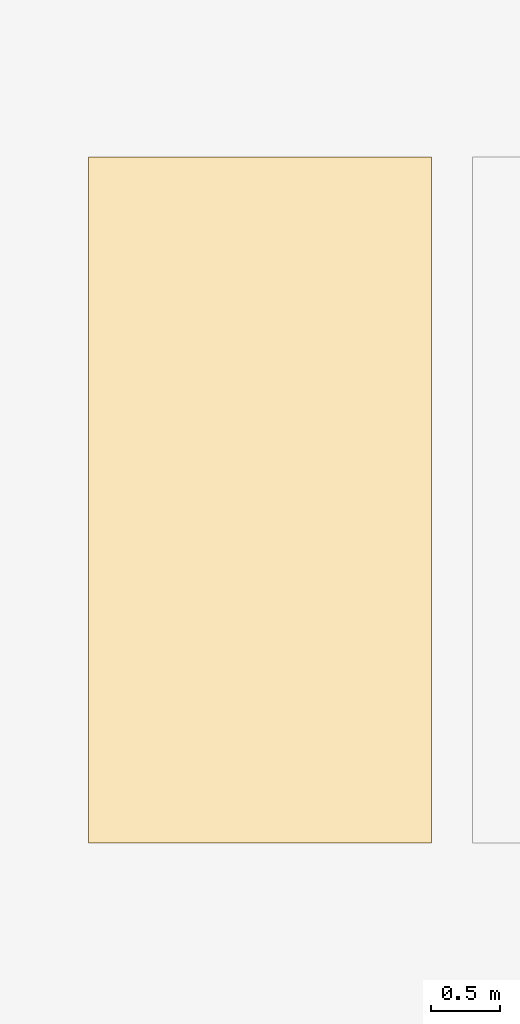
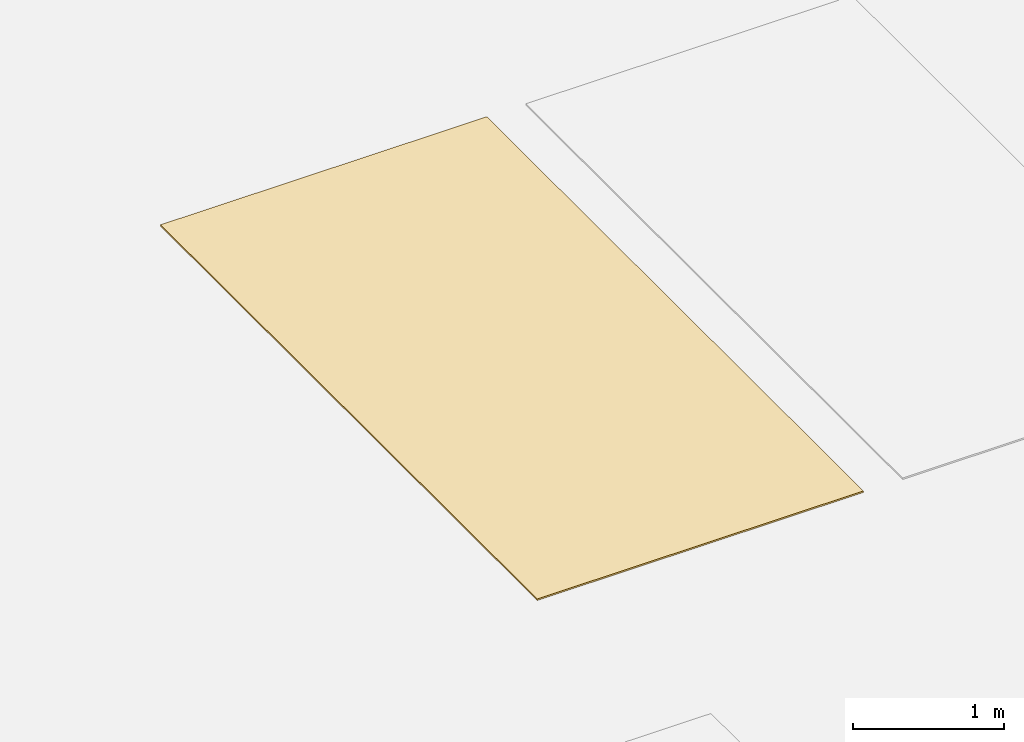
# One storey, part 28 of 39: 1 covering.
"""IFC4 building model written with IfcOpenShell, lengths in metres."""

from ifc_helpers import new_model, si_unit, direction, frame, origin, place, context, subcontext, project, spatial, polyline, outline, extrude, material, layer, layer_set, type_object, element, save


model = new_model("IFC4")

# Units and contexts
model_context = context("Model", 3, precision=1e-05, world=origin(), true_north=direction((0.0, 1.0)))
body_context = subcontext(model_context, "Body", "Model", "MODEL_VIEW")
ifc_project = project(units=[si_unit("LENGTHUNIT", "METRE"), si_unit("AREAUNIT", "SQUARE_METRE"), si_unit("VOLUMEUNIT", "CUBIC_METRE"), si_unit("PLANEANGLEUNIT", "RADIAN"), si_unit("MASSUNIT", "GRAM", prefix="KILO")], contexts=[model_context])

# Site, building, storey
site_placement = place(None, origin())
site = spatial("IfcSite", under=ifc_project, at=site_placement, CompositionType="ELEMENT")
building_placement = place(site_placement, origin())
building = spatial("IfcBuilding", under=site, at=building_placement, Name="Nakhvara Creek Congress Hotel", CompositionType="ELEMENT")
storey_placement = place(building_placement, frame((0.0, 0.0, -8.39990234375)))
storey = spatial("IfcBuildingStorey", under=building, at=storey_placement, Name="B2", CompositionType="ELEMENT", Elevation=-8.39990234375)

# Covering
ifc_material = material(Name="Thermoplastic reflective parking bay marking")
ifc_layer = layer(ifc_material, 0.014892578125)
ifc_layer_set = layer_set([ifc_layer], Name="Thermoplastic reflective parking bay marking")
covering_type = type_object("IfcCoveringType", Name="COV-PARK-MRK", PredefinedType="USERDEFINED", material=ifc_layer_set)
covering_placement = place(storey_placement, frame((0.0, 0.0, 0.0078125)))
element("IfcCovering", 1, at=covering_placement, inside=storey, type_object=covering_type, Name="Parking Bay Demarcation B2-004", ObjectType="ROAD_MARKING", PredefinedType="USERDEFINED", context=body_context, shape_type="SweptSolid", body=[
    extrude(outline(polyline([(88.14990234375, 13.39990234375), (90.64990234375, 13.39990234375), (90.64990234375, 18.39990234375), (88.14990234375, 18.39990234375), (88.14990234375, 13.39990234375)])), origin(), (0.0, 0.0, 1.0), 0.01220703125),
])

save(model, "model.ifc")
